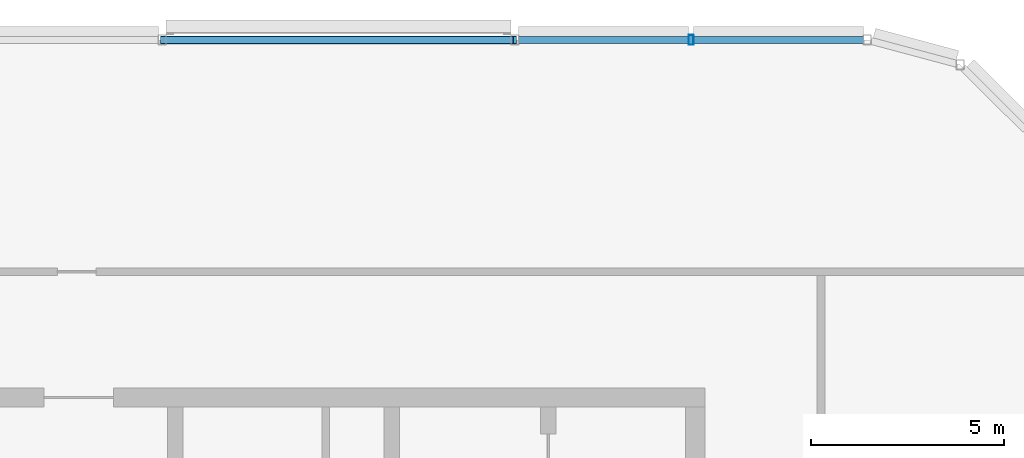
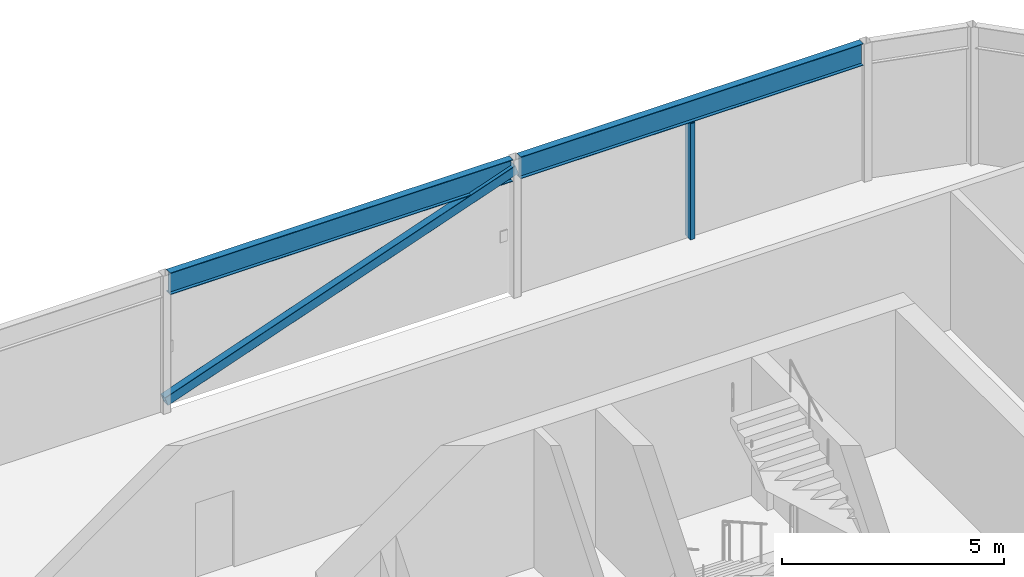
# One storey, part 13 of 28: 2 beams, 2 members.
"""IFC4 building model written with IfcOpenShell, lengths in metres."""

from ifc_helpers import new_model, si_unit, direction, frame, origin, origin_2d, place, context, subcontext, project, spatial, hollow_rectangle, i_section, extrude, material, material_profile, profile_set, type_object, element, save


model = new_model("IFC4")

# Units and contexts
model_context = context("Model", 3, precision=1e-05, world=origin(), true_north=direction((0.0, 1.0)))
body_context = subcontext(model_context, "Body", "Model", "MODEL_VIEW")
ifc_project = project(units=[si_unit("LENGTHUNIT", "METRE"), si_unit("AREAUNIT", "SQUARE_METRE"), si_unit("VOLUMEUNIT", "CUBIC_METRE"), si_unit("PLANEANGLEUNIT", "RADIAN"), si_unit("MASSUNIT", "GRAM", prefix="KILO")], contexts=[model_context])

# Site, building, storey
site_placement = place(None, origin())
site = spatial("IfcSite", under=ifc_project, at=site_placement, CompositionType="ELEMENT")
building_placement = place(site_placement, origin())
building = spatial("IfcBuilding", under=site, at=building_placement, Name="Madar Terraces", CompositionType="ELEMENT")
storey_placement = place(building_placement, frame((0.0, 0.0, 310.10009765625)))
storey = spatial("IfcBuildingStorey", under=building, at=storey_placement, Name="L80", CompositionType="ELEMENT", Elevation=310.10009765625)

# Beams
ifc_material_1 = material(Name="Steel ASTM A992 Grade 50", Category="steel")
ifc_material_profile_1 = material_profile(ifc_material_1, i_section(OverallWidth=0.1787109375, OverallDepth=0.60205078125, WebThickness=0.010986328125, FlangeThickness=0.014892578125, at=origin_2d()), Name="W24x62")
ifc_profile_set_1 = profile_set([ifc_material_profile_1], Name="Steel ASTM A992 Grade 50")
beam_type = type_object("IfcBeamType", Name="CF2 W24x62", PredefinedType="BEAM", material=ifc_profile_set_1)
for number, where, z_axis, x_axis, name in (
    (1, (51.498291015625, 46.800048828125, 3.4990234375), (-1.0, 0.0, 0.0), (0.0, -1.0, 0.0), "Crown frame ring beam CF2"),
    (2, (42.37841796875, 46.800048828125, 3.4990234375), (-1.0, 0.0, 0.0), (0.0, -1.0, 0.0), "Crown frame ring beam CF2"),
):
    element("IfcBeam", number, at=place(storey_placement, frame(where, z_axis=z_axis, x_axis=x_axis)), inside=storey, type_object=beam_type, Name=name, PredefinedType="BEAM", context=body_context, shape_type="SweptSolid", body=[
        extrude(i_section(OverallWidth=0.1787109375, OverallDepth=0.60205078125, WebThickness=0.010986328125, FlangeThickness=0.014892578125, at=origin_2d()), origin(), (0.0, 0.0, 1.0), 8.916748046875),
    ])

# Members
ifc_material_2 = material(Name="Steel ASTM A500 Grade C", Category="steel")
ifc_material_profile_2 = material_profile(ifc_material_2, hollow_rectangle(XDim=0.203125, YDim=0.25390625, WallThickness=0.009521484375, InnerFilletRadius=0.00439453125, OuterFilletRadius=0.01318359375, at=origin_2d()), Name="HSS10x8x.375")
ifc_profile_set_2 = profile_set([ifc_material_profile_2], Name="Steel ASTM A500 Grade C")
member_type_1 = type_object("IfcMemberType", Name="CF5 crown frame brace HSS10x8x.375", PredefinedType="BRACE", material=ifc_profile_set_2)
member_1_placement = place(storey_placement, frame((42.47998046875, 46.800048828125, 3.4990234375), z_axis=(-0.943623793822, 0.0, -0.331019841902), x_axis=(0.0, -1.0, 0.0)))
element("IfcMember", 3, at=member_1_placement, inside=storey, type_object=member_type_1, Name="Crown frame brace CF5", PredefinedType="BRACE", context=body_context, shape_type="SweptSolid", body=[
    extrude(hollow_rectangle(XDim=0.203125, YDim=0.25390625, WallThickness=0.009521484375, InnerFilletRadius=0.00439453125, OuterFilletRadius=0.01318359375, at=origin_2d()), origin(), (0.0, 0.0, 1.0), 9.664794921875),
])
ifc_material_3 = material(Name="Steel ASTM A500 Grade C", Category="steel")
ifc_material_profile_3 = material_profile(ifc_material_3, hollow_rectangle(XDim=0.126953125, YDim=0.25390625, WallThickness=0.00634765625, InnerFilletRadius=0.0029296875, OuterFilletRadius=0.0087890625, at=origin_2d()), Name="HSS10x5x.25")
ifc_profile_set_3 = profile_set([ifc_material_profile_3], Name="Steel ASTM A500 Grade C")
member_type_2 = type_object("IfcMemberType", Name="LS2 HSS10x5x.25", PredefinedType="POST", material=ifc_profile_set_3)
member_2_placement = place(storey_placement, frame((47.0400390625, 46.800048828125, 0.0), z_axis=(0.0, 0.0, 1.0), x_axis=(-1.0, 0.0, 0.0)))
element("IfcMember", 4, at=member_2_placement, inside=storey, type_object=member_type_2, Name="Crown louvre post LS2", PredefinedType="POST", context=body_context, shape_type="SweptSolid", body=[
    extrude(hollow_rectangle(XDim=0.126953125, YDim=0.25390625, WallThickness=0.00634765625, InnerFilletRadius=0.0029296875, OuterFilletRadius=0.0087890625, at=origin_2d()), origin(), (0.0, 0.0, 1.0), 3.197998046875),
])

save(model, "model.ifc")
